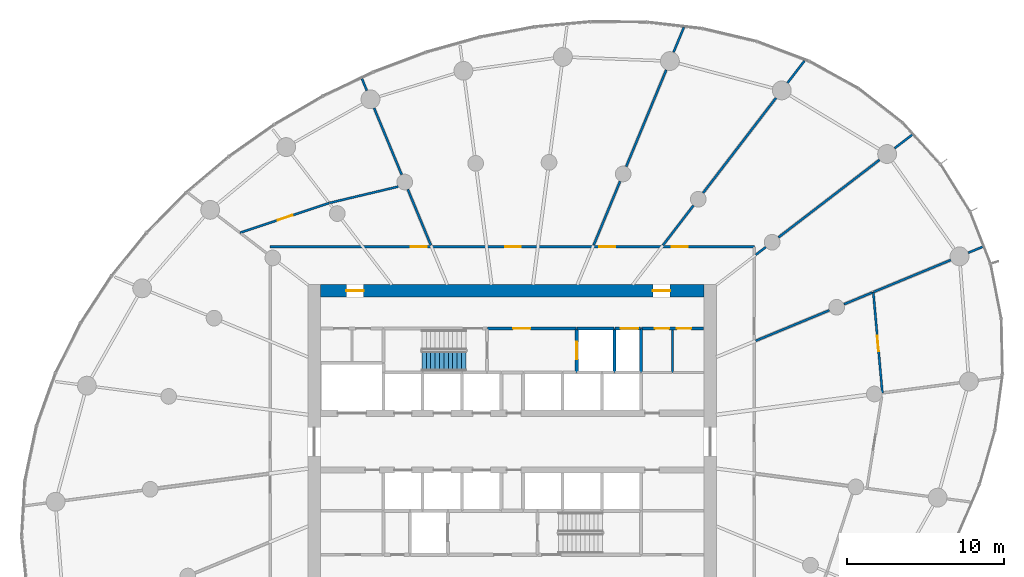
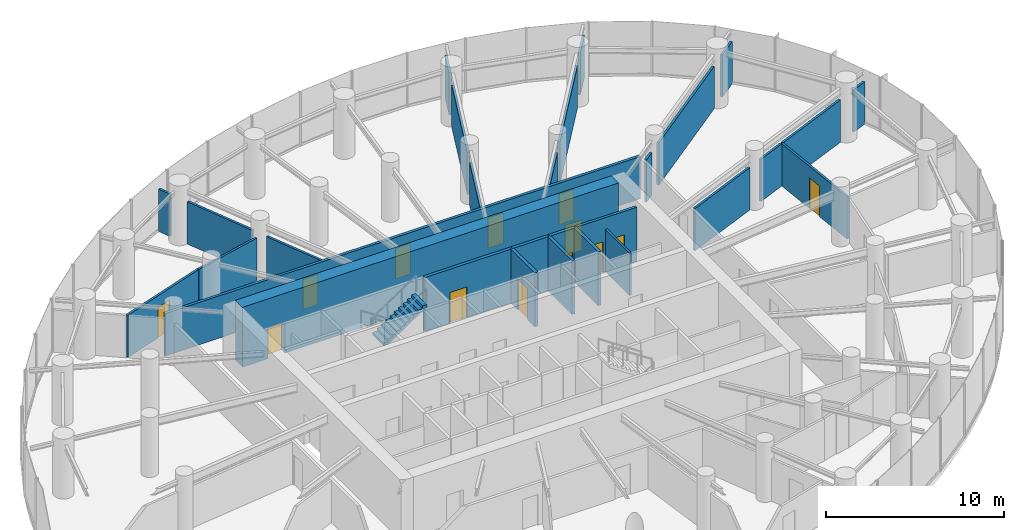
# One storey, part 13 of 17: 29 walls, 13 doors, 1 stair flight, 13 openings, 1 element without a shape of its own.
"""IFC4 building model written with IfcOpenShell, lengths in metres."""

import ifcopenshell
import ifcopenshell.guid

model = None  # the IFC model being written
_history = None  # IfcOwnerHistory: only IFC2X3 demands one
_inside = {}  # id of a spatial element -> (the spatial element, [elements in it])
_under = {}  # id of a project, library or spatial element -> (it, [spatial elements below it])
_declared = {}  # id of a project -> (the project, [libraries it declares])
_typed = {}  # id of a type object -> (the type object, [elements of that type])
_made_of = {}  # id of a material, layer set ... -> (it, [elements and type objects made of it])


def new_model(schema):
    """Start an empty IFC model of exactly this schema.

    Asked for "IFC4X3", IfcOpenShell would pick the latest addendum, in which some entities
    have other attributes; the version numbers below select the first issue.
    IFC2X3 requires an IfcOwnerHistory on every rooted entity: one is made here for all.
    """
    global model, _history
    if schema == "IFC4X3":
        model = ifcopenshell.file(schema_version=(4, 3, 0, 0))
    else:
        model = ifcopenshell.file(schema=schema)
    _inside.clear()
    _under.clear()
    _declared.clear()
    _typed.clear()
    _made_of.clear()
    _history = None
    if model.schema == "IFC2X3":
        org = make("IfcOrganization", Name="unknown")
        user = make(
            "IfcPersonAndOrganization",
            ThePerson=make("IfcPerson", FamilyName="unknown"),
            TheOrganization=org,
        )
        app = make(
            "IfcApplication",
            ApplicationDeveloper=org,
            Version="unknown",
            ApplicationFullName="unknown",
            ApplicationIdentifier="unknown",
        )
        _history = make(
            "IfcOwnerHistory",
            OwningUser=user,
            OwningApplication=app,
            ChangeAction="ADDED",
            CreationDate=0,
        )
    return model


def make(cls, **values):
    """One entity of the class cls with the attributes given. An attribute that is None is left unset."""
    return model.create_entity(
        cls, **{name: value for name, value in values.items() if value is not None}
    )


def rooted(cls, **values):
    """An entity with a GlobalId (a new one), such as an element, a storey or a relation."""
    return make(cls, GlobalId=ifcopenshell.guid.new(), OwnerHistory=_history, **values)


def si_unit(unit_type, name, prefix=None):
    """IfcSIUnit, for example si_unit("LENGTHUNIT", "METRE", prefix="MILLI")."""
    return make("IfcSIUnit", UnitType=unit_type, Prefix=prefix, Name=name)


def assignment(units):
    """IfcUnitAssignment: the units of a project."""
    return None if units is None else make("IfcUnitAssignment", Units=units)


def point(xyz):
    """IfcCartesianPoint."""
    return None if xyz is None else make("IfcCartesianPoint", Coordinates=xyz)


def direction(xyz):
    """IfcDirection."""
    return None if xyz is None else make("IfcDirection", DirectionRatios=xyz)


def frame(location, z_axis=None, x_axis=None):
    """IfcAxis2Placement3D, a coordinate frame: its origin and axes. An axis left out is left unset."""
    return make(
        "IfcAxis2Placement3D",
        Location=point(location),
        Axis=direction(z_axis),
        RefDirection=direction(x_axis),
    )


def frame_2d(location, x_axis=None):
    """IfcAxis2Placement2D, a coordinate frame in the plane: its origin and x axis."""
    return make(
        "IfcAxis2Placement2D", Location=point(location), RefDirection=direction(x_axis)
    )


def origin():
    """The frame at (0, 0, 0) with its axes left unset."""
    return frame((0.0, 0.0, 0.0))


def place(relative_to, where):
    """IfcLocalPlacement: puts the frame where relative to a parent placement (None: the world)."""
    return make(
        "IfcLocalPlacement", PlacementRelTo=relative_to, RelativePlacement=where
    )


def context(
    kind, dimensions, precision=None, world=None, true_north=None, identifier=None
):
    """IfcGeometricRepresentationContext, for example the 3D "Model" context."""
    return make(
        "IfcGeometricRepresentationContext",
        ContextIdentifier=identifier,
        ContextType=kind,
        CoordinateSpaceDimension=dimensions,
        Precision=precision,
        WorldCoordinateSystem=world,
        TrueNorth=true_north,
    )


def subcontext(parent, identifier, kind, view, scale=None):
    """IfcGeometricRepresentationSubContext, for example "Body" below "Model"."""
    return make(
        "IfcGeometricRepresentationSubContext",
        ContextIdentifier=identifier,
        ContextType=kind,
        ParentContext=parent,
        TargetScale=scale,
        TargetView=view,
    )


def project(units=None, contexts=None):
    """IfcProject with its units and contexts."""
    return rooted(
        "IfcProject",
        Name="project",
        RepresentationContexts=contexts,
        UnitsInContext=assignment(units),
    )


def spatial(cls, under=None, at=None, **own):
    """A site, building, storey or space (cls), placed at a placement, below another one or the project."""
    s = rooted(cls, ObjectPlacement=at, **own)
    if under is not None:
        _under.setdefault(under.id(), (under, []))[1].append(s)
    return s


def point_list(points):
    """IfcCartesianPointList2D or 3D."""
    cls = (
        "IfcCartesianPointList2D" if len(points[0]) == 2 else "IfcCartesianPointList3D"
    )
    return make(cls, CoordList=points)


def line(*indices):
    """IfcLineIndex: a straight run through numbered points of an indexed curve."""
    return model.create_entity("IfcLineIndex", indices)


def indexed_curve(points, segments=None, self_intersect=None):
    """IfcIndexedPolyCurve: lines and arcs through numbered points (the first is 1)."""
    return make(
        "IfcIndexedPolyCurve",
        Points=point_list(points),
        Segments=segments,
        SelfIntersect=self_intersect,
    )


def profile(cls, at=None, kind="AREA", **sizes):
    """A parametric profile (cls). Its sizes go by their IFC names, for example OverallWidth=200.0."""
    return make(cls, ProfileType=kind, Position=at, **sizes)


def rectangle(**sizes):
    """IfcRectangleProfileDef."""
    return profile("IfcRectangleProfileDef", **sizes)


def outline(outer, holes=None, kind="AREA"):
    """IfcArbitraryClosedProfileDef: a profile drawn as a closed curve; with holes, ...WithVoids."""
    if holes is None:
        return make("IfcArbitraryClosedProfileDef", ProfileType=kind, OuterCurve=outer)
    return make(
        "IfcArbitraryProfileDefWithVoids",
        ProfileType=kind,
        OuterCurve=outer,
        InnerCurves=holes,
    )


def extrude(swept, where, along, depth):
    """IfcExtrudedAreaSolid: the profile swept, set in the frame where, extruded along a direction by depth."""
    return make(
        "IfcExtrudedAreaSolid",
        SweptArea=swept,
        Position=where,
        ExtrudedDirection=direction(along),
        Depth=depth,
    )


def shape(context_of_items, identifier, shape_type, items):
    """IfcShapeRepresentation: the items that make up one representation, for example the "Body"."""
    return make(
        "IfcShapeRepresentation",
        ContextOfItems=context_of_items,
        RepresentationIdentifier=identifier,
        RepresentationType=shape_type,
        Items=items,
    )


def source(mapping_origin, context_of_items, identifier, shape_type, items):
    """IfcRepresentationMap: a shape defined once, which mapped items show again and again."""
    return make(
        "IfcRepresentationMap",
        MappingOrigin=mapping_origin,
        MappedRepresentation=shape(context_of_items, identifier, shape_type, items),
    )


def transform(
    local_origin,
    x_axis=None,
    y_axis=None,
    z_axis=None,
    scale=None,
    scale2=None,
    scale3=None,
    uniform=True,
):
    """IfcCartesianTransformationOperator3D, or its non-uniform kind. x_axis, y_axis, z_axis: its Axis1, 2, 3."""
    if uniform:
        return make(
            "IfcCartesianTransformationOperator3D",
            Axis1=direction(x_axis),
            Axis2=direction(y_axis),
            LocalOrigin=point(local_origin),
            Scale=scale,
            Axis3=direction(z_axis),
        )
    return make(
        "IfcCartesianTransformationOperator3DnonUniform",
        Axis1=direction(x_axis),
        Axis2=direction(y_axis),
        LocalOrigin=point(local_origin),
        Scale=scale,
        Axis3=direction(z_axis),
        Scale2=scale2,
        Scale3=scale3,
    )


def mapped(mapping_source, mapping_target):
    """IfcMappedItem: shows the shape of a source again, moved by a transform."""
    return make(
        "IfcMappedItem", MappingSource=mapping_source, MappingTarget=mapping_target
    )


def material(Name=None, Category=None):
    """IfcMaterial."""
    return make("IfcMaterial", Name=Name, Category=Category)


def layer(
    of_material, thickness, ventilated=None, Name=None, Category=None, Priority=None
):
    """IfcMaterialLayer: one layer of a wall or slab, of a material (None: an air gap)."""
    return make(
        "IfcMaterialLayer",
        Material=of_material,
        LayerThickness=thickness,
        IsVentilated=ventilated,
        Name=Name,
        Category=Category,
        Priority=Priority,
    )


def layer_set(layers, Name=None):
    """IfcMaterialLayerSet."""
    return make("IfcMaterialLayerSet", MaterialLayers=layers, LayerSetName=Name)


def made_of(thing, what):
    """Note that an element or type object is made of a material, layer set ...; save() writes the relation."""
    if what is not None:
        _made_of.setdefault(what.id(), (what, []))[1].append(thing)
    return thing


def type_object(cls, material=None, **own):
    """A type object (cls), such as IfcWallType, which elements share."""
    return made_of(rooted(cls, **own), material)


def element(
    cls,
    number,
    at=None,
    inside=None,
    cuts=None,
    type_object=None,
    material=None,
    context=None,
    identifier="Body",
    shape_type=None,
    held_by="IfcProductDefinitionShape",
    body=None,
    shapes=None,
    **own,
):
    """One element of the class cls, such as IfcWall. Its Tag is "e" and its number.

    at: its placement. inside: the storey or other place that contains it. cuts: it is an
    opening in that element (IfcRelVoidsElement). A single representation is given by context,
    identifier, shape_type and body (its items); several are given by shapes. held_by: the class
    of the entity that holds the representations. save() writes the other relations.
    """
    e = rooted(cls, Tag="e%d" % number, ObjectPlacement=at, **own)
    if body is not None:
        shapes = [shape(context, identifier, shape_type, body)]
    if shapes is not None:
        e.Representation = make(held_by, Representations=shapes)
    if inside is not None:
        _inside.setdefault(inside.id(), (inside, []))[1].append(e)
    if cuts is not None:
        rooted(
            "IfcRelVoidsElement", RelatingBuildingElement=cuts, RelatedOpeningElement=e
        )
    if type_object is not None:
        _typed.setdefault(type_object.id(), (type_object, []))[1].append(e)
    return made_of(e, material)


def fill(opening, filler):
    """IfcRelFillsElement: the door or window that sits in an opening."""
    return rooted(
        "IfcRelFillsElement",
        RelatingOpeningElement=opening,
        RelatedBuildingElement=filler,
    )


def aggregate(whole, parts):
    """IfcRelAggregates: a whole, such as a stair, and the parts it consists of."""
    return rooted("IfcRelAggregates", RelatingObject=whole, RelatedObjects=parts)


def save(model, path):
    """Write the relations noted so far, then the file.

    IfcRelAggregates (storeys below a building ...), IfcRelContainedInSpatialStructure (elements
    in a storey), IfcRelDefinesByType, IfcRelAssociatesMaterial and IfcRelDeclares: one each for
    every whole, place, type object, material and project.
    """
    for whole, parts in _under.values():
        aggregate(whole, parts)
    for where, things in _inside.values():
        rooted(
            "IfcRelContainedInSpatialStructure",
            RelatedElements=things,
            RelatingStructure=where,
        )
    for kind, things in _typed.values():
        rooted("IfcRelDefinesByType", RelatedObjects=things, RelatingType=kind)
    for what, things in _made_of.values():
        rooted("IfcRelAssociatesMaterial", RelatedObjects=things, RelatingMaterial=what)
    for by, libraries in _declared.values():
        rooted("IfcRelDeclares", RelatingContext=by, RelatedDefinitions=libraries)
    model.write(path)


model = new_model("IFC4")

# Units and contexts
model_context = context("Model", 3, precision=1e-05, world=origin(), true_north=direction((0.0, 1.0)))
body_context = subcontext(model_context, "Body", "Model", "MODEL_VIEW")
ifc_project = project(units=[si_unit("LENGTHUNIT", "METRE"), si_unit("AREAUNIT", "SQUARE_METRE"), si_unit("VOLUMEUNIT", "CUBIC_METRE"), si_unit("PLANEANGLEUNIT", "RADIAN"), si_unit("MASSUNIT", "GRAM", prefix="KILO")], contexts=[model_context])

# Site, building, storey
site_placement = place(None, origin())
site = spatial("IfcSite", under=ifc_project, at=site_placement, CompositionType="ELEMENT")
building_placement = place(site_placement, origin())
building = spatial("IfcBuilding", under=site, at=building_placement, Name="Spindrift Exchange Tower", CompositionType="ELEMENT")
storey_placement = place(building_placement, frame((0.0, 0.0, 100.300048828125)))
storey = spatial("IfcBuildingStorey", under=building, at=storey_placement, Name="L23", CompositionType="ELEMENT", Elevation=100.300048828125)

# Wall, openings, doors
ifc_material_1 = material(Name="Concrete 65 MPa", Category="concrete")
ifc_layer_1 = layer(ifc_material_1, 0.800048828125)
ifc_layer_set_1 = layer_set([ifc_layer_1], Name="RC Core Wall 800 Concrete 65 MPa")
wall_type_1 = type_object("IfcWallType", Name="RC Core Wall 800 Concrete 65 MPa", PredefinedType="SHEAR", material=ifc_layer_set_1)
wall_1_placement = place(storey_placement, frame((64.199951171875, 57.60009765625, 0.0), z_axis=(0.0, 0.0, 1.0), x_axis=(-1.0, 0.0, 0.0)))
wall_1 = element("IfcWall", 1, at=wall_1_placement, inside=storey, type_object=wall_type_1, Name="Core wall N L23", PredefinedType="SHEAR", context=body_context, shape_type="SweptSolid", body=[
    extrude(rectangle(XDim=24.39990234375, YDim=0.800048828125, at=frame_2d((12.199951171875, 0.0))), origin(), (0.0, 0.0, 1.0), 4.099853515625),
])
opening_1_placement = place(wall_1_placement, frame((21.64990234375, 0.0, 0.0)))
opening_1 = element("IfcOpeningElement", 2, at=opening_1_placement, cuts=wall_1, Name="Opening L23-D20", PredefinedType="OPENING", context=body_context, shape_type="SweptSolid", body=[
    extrude(rectangle(XDim=1.10009765625, YDim=2.10009765625, at=frame_2d((0.550048828125, 1.050048828125))), frame((0.0, 0.409912109375, 0.0), z_axis=(0.0, -1.0, 0.0), x_axis=(1.0, 0.0, 0.0)), (0.0, 0.0, 1.0), 0.820068359375),
])
opening_2_placement = place(wall_1_placement, frame((2.14990234375, 0.0, 0.0)))
opening_2 = element("IfcOpeningElement", 3, at=opening_2_placement, cuts=wall_1, Name="Opening L23-D21", PredefinedType="OPENING", context=body_context, shape_type="SweptSolid", body=[
    extrude(rectangle(XDim=1.10009765625, YDim=2.10009765625, at=frame_2d((0.550048828125, 1.050048828125))), frame((0.0, 0.409912109375, 0.0), z_axis=(0.0, -1.0, 0.0), x_axis=(1.0, 0.0, 0.0)), (0.0, 0.0, 1.0), 0.820068359375),
])
ifc_material_2 = material(Name="Steel fire door", Category="steel")
door_type_1 = type_object("IfcDoorType", Name="DR-STAIR-1100", OperationType="NOTDEFINED", PredefinedType="DOOR", material=ifc_material_2)
shared_shape_1 = source(origin(), body_context, "Body", "SweptSolid", [
    extrude(rectangle(XDim=1.10009765625, YDim=2.10009765625, at=frame_2d((0.550048828125, 1.050048828125))), frame((0.0, 0.02490234375, 0.0), z_axis=(0.0, -1.0, 0.0), x_axis=(1.0, 0.0, 0.0)), (0.0, 0.0, 1.0), 0.050048828125),
])
door_1_placement = place(opening_1_placement, origin())
door_1 = element("IfcDoor", 4, at=door_1_placement, inside=storey, type_object=door_type_1, Name="L23 Stair door 20", OperationType="SINGLE_SWING_RIGHT", OverallHeight=2.10009765625, OverallWidth=1.10009765625, PredefinedType="DOOR", context=body_context, shape_type="MappedRepresentation", body=[
    mapped(shared_shape_1, transform((0.0, 0.0, 0.0), scale=1.0)),
])
fill(opening_1, door_1)
door_2_placement = place(opening_2_placement, origin())
door_2 = element("IfcDoor", 5, at=door_2_placement, inside=storey, type_object=door_type_1, Name="L23 Stair door 21", OperationType="SINGLE_SWING_LEFT", OverallHeight=2.10009765625, OverallWidth=1.10009765625, PredefinedType="DOOR", context=body_context, shape_type="MappedRepresentation", body=[
    mapped(shared_shape_1, transform((0.0, 0.0, 0.0), scale=1.0)),
])
fill(opening_2, door_2)

ifc_material_3 = material(Name="Fire-rated plasterboard partition", Category="gypsum")
ifc_layer_2 = layer(ifc_material_3, 0.179931640625)
ifc_layer_set_2 = layer_set([ifc_layer_2], Name="W-CORR-180")
wall_type_2 = type_object("IfcWallType", Name="W-CORR-180", PredefinedType="PARTITIONING", material=ifc_layer_set_2)
wall_2_placement = place(storey_placement, frame((64.179931640625, 55.199951171875, 0.0), z_axis=(0.0, 0.0, 1.0), x_axis=(-1.0, 0.0, 0.0)))
wall_2 = element("IfcWall", 6, at=wall_2_placement, inside=storey, type_object=wall_type_2, Name="L23 Partition wall 62", PredefinedType="PARTITIONING", context=body_context, shape_type="SweptSolid", body=[
    extrude(rectangle(XDim=3.949951171875, YDim=0.179931640625, at=frame_2d((1.97509765625, 0.0))), origin(), (0.0, 0.0, 1.0), 3.699951171875),
])
opening_3_placement = place(wall_2_placement, frame((2.199951171875, 0.0, 0.0)))
opening_3 = element("IfcOpeningElement", 7, at=opening_3_placement, cuts=wall_2, Name="Opening L23-D51", PredefinedType="OPENING", context=body_context, shape_type="SweptSolid", body=[
    extrude(rectangle(XDim=0.89990234375, YDim=2.10009765625, at=frame_2d((0.449951171875, 1.050048828125))), frame((0.0, 0.099853515625, 0.0), z_axis=(0.0, -1.0, 0.0), x_axis=(1.0, 0.0, 0.0)), (0.0, 0.0, 1.0), 0.199951171875),
])
opening_4_placement = place(wall_2_placement, frame((0.800048828125, 0.0, 0.0)))
opening_4 = element("IfcOpeningElement", 8, at=opening_4_placement, cuts=wall_2, Name="Opening L23-D52", PredefinedType="OPENING", context=body_context, shape_type="SweptSolid", body=[
    extrude(rectangle(XDim=0.89990234375, YDim=2.10009765625, at=frame_2d((0.449951171875, 1.050048828125))), frame((0.0, 0.099853515625, 0.0), z_axis=(0.0, -1.0, 0.0), x_axis=(1.0, 0.0, 0.0)), (0.0, 0.0, 1.0), 0.199951171875),
])
ifc_material_4 = material(Name="Steel access door", Category="steel")
door_type_2 = type_object("IfcDoorType", Name="DR-RISER-900", OperationType="NOTDEFINED", PredefinedType="DOOR", material=ifc_material_4)
shared_shape_2 = source(origin(), body_context, "Body", "SweptSolid", [
    extrude(rectangle(XDim=0.89990234375, YDim=2.10009765625, at=frame_2d((0.449951171875, 1.050048828125))), frame((0.0, 0.02490234375, 0.0), z_axis=(0.0, -1.0, 0.0), x_axis=(1.0, 0.0, 0.0)), (0.0, 0.0, 1.0), 0.050048828125),
])
door_3_placement = place(opening_3_placement, origin())
door_3 = element("IfcDoor", 9, at=door_3_placement, inside=storey, type_object=door_type_2, Name="L23 Riser door 51", OperationType="SINGLE_SWING_LEFT", OverallHeight=2.10009765625, OverallWidth=0.89990234375, PredefinedType="DOOR", context=body_context, shape_type="MappedRepresentation", body=[
    mapped(shared_shape_2, transform((0.0, 0.0, 0.0), scale=1.0)),
])
fill(opening_3, door_3)
door_4_placement = place(opening_4_placement, origin())
door_4 = element("IfcDoor", 10, at=door_4_placement, inside=storey, type_object=door_type_2, Name="L23 Riser door 52", OperationType="SINGLE_SWING_RIGHT", OverallHeight=2.10009765625, OverallWidth=0.89990234375, PredefinedType="DOOR", context=body_context, shape_type="MappedRepresentation", body=[
    mapped(shared_shape_2, transform((0.0, 0.0, 0.0), scale=1.0)),
])
fill(opening_4, door_4)

# Wall, opening, door
ifc_layer_3 = layer(ifc_material_3, 0.139892578125)
ifc_layer_set_3 = layer_set([ifc_layer_3], Name="W-PART-140")
wall_type_3 = type_object("IfcWallType", Name="W-PART-140", PredefinedType="PARTITIONING", material=ifc_layer_set_3)
wall_3_placement = place(storey_placement, frame((34.6748046875, 61.294189453125, 0.0), z_axis=(0.0, 0.0, 1.0), x_axis=(0.948817917671, 0.315823620247, 0.0)))
wall_3 = element("IfcWall", 11, at=wall_3_placement, inside=storey, type_object=wall_type_3, Name="L23 Partition wall 75", PredefinedType="PARTITIONING", context=body_context, shape_type="SweptSolid", body=[
    extrude(rectangle(XDim=5.98095703125, YDim=0.139892578125, at=frame_2d((2.990478515625, 0.0))), origin(), (0.0, 0.0, 1.0), 2.89990234375),
])
opening_5_placement = place(wall_3_placement, frame((2.531005859375, 0.0, 0.0)))
opening_5 = element("IfcOpeningElement", 12, at=opening_5_placement, cuts=wall_3, Name="Opening L23-D38", PredefinedType="OPENING", context=body_context, shape_type="SweptSolid", body=[
    extrude(rectangle(XDim=1.0, YDim=2.10009765625, at=frame_2d((0.5, 1.050048828125))), frame((0.0, 0.079833984375, 0.0), z_axis=(0.0, -1.0, 0.0), x_axis=(1.0, 0.0, 0.0)), (0.0, 0.0, 1.0), 0.159912109375),
])
ifc_material_5 = material(Name="Timber-core fire door", Category="wood")
door_type_3 = type_object("IfcDoorType", Name="DR-ROOM-1000", OperationType="NOTDEFINED", PredefinedType="DOOR", material=ifc_material_5)
shared_shape_3 = source(origin(), body_context, "Body", "SweptSolid", [
    extrude(rectangle(XDim=1.0, YDim=2.10009765625, at=frame_2d((0.5, 1.050048828125))), frame((0.0, 0.02490234375, 0.0), z_axis=(0.0, -1.0, 0.0), x_axis=(1.0, 0.0, 0.0)), (0.0, 0.0, 1.0), 0.050048828125),
])
door_5_placement = place(opening_5_placement, origin())
door_5 = element("IfcDoor", 13, at=door_5_placement, inside=storey, type_object=door_type_3, Name="L23 Door 38", OperationType="SINGLE_SWING_RIGHT", OverallHeight=2.10009765625, OverallWidth=1.0, PredefinedType="DOOR", context=body_context, shape_type="MappedRepresentation", body=[
    mapped(shared_shape_3, transform((0.0, 0.0, 0.0), scale=1.0)),
])
fill(opening_5, door_5)

# Walls
wall_4_placement = place(storey_placement, frame((44.746826171875, 64.2255859375, 0.0), z_axis=(0.0, 0.0, 1.0), x_axis=(-0.973038547424, -0.230642548604, 0.0)))
element("IfcWall", 14, at=wall_4_placement, inside=storey, type_object=wall_type_3, Name="L23 Partition wall 90", PredefinedType="PARTITIONING", context=body_context, shape_type="SweptSolid", body=[
    extrude(rectangle(XDim=4.4892578125, YDim=0.139892578125, at=frame_2d((2.24462890625, 0.0))), origin(), (0.0, 0.0, 1.0), 2.89990234375),
])
wall_5_placement = place(storey_placement, frame((62.199951171875, 52.39990234375, 0.0), z_axis=(0.0, 0.0, 1.0), x_axis=(0.0, 1.0, 0.0)))
element("IfcWall", 15, at=wall_5_placement, inside=storey, type_object=wall_type_3, Name="L23 Partition wall 101", PredefinedType="PARTITIONING", context=body_context, shape_type="SweptSolid", body=[
    extrude(rectangle(XDim=2.710205078125, YDim=0.139892578125, at=frame_2d((1.35498046875, 0.0))), origin(), (0.0, 0.0, 1.0), 2.89990234375),
])
ifc_layer_4 = layer(ifc_material_3, 0.139892578125)
ifc_layer_set_4 = layer_set([ifc_layer_4], Name="W-PLANT-140")
wall_type_4 = type_object("IfcWallType", Name="W-PLANT-140", PredefinedType="PARTITIONING", material=ifc_layer_set_4)
wall_6_placement = place(storey_placement, frame((68.93505859375, 60.99462890625, 0.0), z_axis=(0.0, 0.0, 1.0), x_axis=(0.793358692504, 0.608754453805, 0.0)))
element("IfcWall", 16, at=wall_6_placement, inside=storey, type_object=wall_type_4, Name="L23 Partition wall 65", PredefinedType="PARTITIONING", context=body_context, shape_type="SweptSolid", body=[
    extrude(rectangle(XDim=8.109619140625, YDim=0.139892578125, at=frame_2d((4.0546875, 0.0))), origin(), (0.0, 0.0, 1.0), 2.89990234375),
])
wall_7_placement = place(storey_placement, frame((64.14208984375, 63.823974609375, 0.0), z_axis=(0.0, 0.0, 1.0), x_axis=(0.608755907151, 0.793357577331, 0.0)))
element("IfcWall", 17, at=wall_7_placement, inside=storey, type_object=wall_type_4, Name="L23 Partition wall 66", PredefinedType="PARTITIONING", context=body_context, shape_type="SweptSolid", body=[
    extrude(rectangle(XDim=7.614990234375, YDim=0.139892578125, at=frame_2d((3.8076171875, 0.0))), origin(), (0.0, 0.0, 1.0), 2.89990234375),
])
wall_8_placement = place(storey_placement, frame((59.247802734375, 65.497802734375, 0.0), z_axis=(0.0, 0.0, 1.0), x_axis=(0.382696989205, 0.923873916968, 0.0)))
element("IfcWall", 18, at=wall_8_placement, inside=storey, type_object=wall_type_4, Name="L23 Partition wall 69", PredefinedType="PARTITIONING", context=body_context, shape_type="SweptSolid", body=[
    extrude(rectangle(XDim=6.662841796875, YDim=0.139892578125, at=frame_2d((3.33154296875, 0.0))), origin(), (0.0, 0.0, 1.0), 2.89990234375),
])

# Wall, opening, door
wall_9_placement = place(storey_placement, frame((74.97021484375, 57.5146484375, 0.0), z_axis=(0.0, 0.0, 1.0), x_axis=(0.089462467016, -0.995990194227, 0.0)))
wall_9 = element("IfcWall", 19, at=wall_9_placement, inside=storey, type_object=wall_type_4, Name="L23 Partition wall 71", PredefinedType="PARTITIONING", context=body_context, shape_type="SweptSolid", body=[
    extrude(rectangle(XDim=6.4404296875, YDim=0.139892578125, at=frame_2d((3.22021484375, 0.0))), origin(), (0.0, 0.0, 1.0), 2.89990234375),
])
opening_6_placement = place(wall_9_placement, frame((2.79052734375, 0.0, 0.0)))
opening_6 = element("IfcOpeningElement", 20, at=opening_6_placement, cuts=wall_9, Name="Opening L23-D32", PredefinedType="OPENING", context=body_context, shape_type="SweptSolid", body=[
    extrude(rectangle(XDim=1.0, YDim=2.10009765625, at=frame_2d((0.5, 1.050048828125))), frame((0.0, 0.079833984375, 0.0), z_axis=(0.0, -1.0, 0.0), x_axis=(1.0, 0.0, 0.0)), (0.0, 0.0, 1.0), 0.159912109375),
])
door_6_placement = place(opening_6_placement, origin())
door_6 = element("IfcDoor", 21, at=door_6_placement, inside=storey, type_object=door_type_3, Name="L23 Door 32", OperationType="SINGLE_SWING_RIGHT", OverallHeight=2.10009765625, OverallWidth=1.0, PredefinedType="DOOR", context=body_context, shape_type="MappedRepresentation", body=[
    mapped(shared_shape_3, transform((0.0, 0.0, 0.0), scale=1.0)),
])
fill(opening_6, door_6)

# Walls
wall_10_placement = place(storey_placement, frame((74.998046875, 57.526123046875, 0.0), z_axis=(0.0, 0.0, 1.0), x_axis=(0.923875965801, 0.382692043051, 0.0)))
element("IfcWall", 22, at=wall_10_placement, inside=storey, type_object=wall_type_4, Name="L23 Partition wall 81", PredefinedType="PARTITIONING", context=body_context, shape_type="SweptSolid", body=[
    extrude(rectangle(XDim=5.302001953125, YDim=0.139892578125, at=frame_2d((2.65087890625, 0.0))), origin(), (0.0, 0.0, 1.0), 2.89990234375),
])
wall_11_placement = place(storey_placement, frame((67.489990234375, 54.416259765625, 0.0), z_axis=(0.0, 0.0, 1.0), x_axis=(0.923890025086, 0.382658100067, 0.0)))
element("IfcWall", 23, at=wall_11_placement, inside=storey, type_object=wall_type_4, Name="L23 Partition wall 84", PredefinedType="PARTITIONING", context=body_context, shape_type="SweptSolid", body=[
    extrude(rectangle(XDim=5.068359375, YDim=0.139892578125, at=frame_2d((2.5341796875, 0.0))), origin(), (0.0, 0.0, 1.0), 2.89990234375),
])
wall_12_placement = place(storey_placement, frame((44.965087890625, 64.984130859375, 0.0), z_axis=(0.0, 0.0, 1.0), x_axis=(-0.382705930348, 0.923870213221, 0.0)))
element("IfcWall", 24, at=wall_12_placement, inside=storey, type_object=wall_type_4, Name="L23 Partition wall 89", PredefinedType="PARTITIONING", context=body_context, shape_type="SweptSolid", body=[
    extrude(rectangle(XDim=4.586669921875, YDim=0.139892578125, at=frame_2d((2.29345703125, 0.0))), origin(), (0.0, 0.0, 1.0), 2.89990234375),
])
wall_13_placement = place(storey_placement, frame((57.173583984375, 60.489990234375, 0.0), z_axis=(0.0, 0.0, 1.0), x_axis=(0.382672831764, 0.923883923353, 0.0)))
element("IfcWall", 25, at=wall_13_placement, inside=storey, type_object=wall_type_4, Name="L23 Partition wall 92", PredefinedType="PARTITIONING", context=body_context, shape_type="SweptSolid", body=[
    extrude(rectangle(XDim=4.410400390625, YDim=0.139892578125, at=frame_2d((2.205078125, 0.0))), origin(), (0.0, 0.0, 1.0), 2.89990234375),
])
wall_14_placement = place(storey_placement, frame((46.826416015625, 60.489990234375, 0.0), z_axis=(0.0, 0.0, 1.0), x_axis=(-0.382644558062, 0.923895633817, 0.0)))
element("IfcWall", 26, at=wall_14_placement, inside=storey, type_object=wall_type_4, Name="L23 Partition wall 96", PredefinedType="PARTITIONING", context=body_context, shape_type="SweptSolid", body=[
    extrude(rectangle(XDim=3.854248046875, YDim=0.139892578125, at=frame_2d((1.92724609375, 0.0))), origin(), (0.0, 0.0, 1.0), 2.89990234375),
])
wall_15_placement = place(storey_placement, frame((61.583984375, 60.489990234375, 0.0), z_axis=(0.0, 0.0, 1.0), x_axis=(0.60874605662, 0.793365135703, 0.0)))
element("IfcWall", 27, at=wall_15_placement, inside=storey, type_object=wall_type_4, Name="L23 Partition wall 100", PredefinedType="PARTITIONING", context=body_context, shape_type="SweptSolid", body=[
    extrude(rectangle(XDim=3.193603515625, YDim=0.139892578125, at=frame_2d((1.5966796875, 0.0))), origin(), (0.0, 0.0, 1.0), 2.89990234375),
])
wall_16_placement = place(storey_placement, frame((73.10595703125, 56.7421875, 0.0), z_axis=(0.0, 0.0, 1.0), x_axis=(0.923843914347, 0.382769410904, 0.0)))
element("IfcWall", 28, at=wall_16_placement, inside=storey, type_object=wall_type_4, Name="L23 Partition wall 104", PredefinedType="PARTITIONING", context=body_context, shape_type="SweptSolid", body=[
    extrude(rectangle(XDim=1.94482421875, YDim=0.139892578125, at=frame_2d((0.972412109375, 0.0))), origin(), (0.0, 0.0, 1.0), 2.89990234375),
])
wall_17_placement = place(storey_placement, frame((69.513671875, 70.82421875, 0.0), z_axis=(0.0, 0.0, 1.0), x_axis=(0.608816765526, 0.793310876022, 0.0)))
element("IfcWall", 29, at=wall_17_placement, inside=storey, type_object=wall_type_4, Name="L23 Partition wall 109", PredefinedType="PARTITIONING", context=body_context, shape_type="SweptSolid", body=[
    extrude(rectangle(XDim=1.769287109375, YDim=0.139892578125, at=frame_2d((0.884765625, 0.0))), origin(), (0.0, 0.0, 1.0), 2.89990234375),
])
wall_18_placement = place(storey_placement, frame((62.260498046875, 72.77099609375, 0.0), z_axis=(0.0, 0.0, 1.0), x_axis=(0.382769756697, 0.923843771077, 0.0)))
element("IfcWall", 30, at=wall_18_placement, inside=storey, type_object=wall_type_4, Name="L23 Partition wall 111", PredefinedType="PARTITIONING", context=body_context, shape_type="SweptSolid", body=[
    extrude(rectangle(XDim=1.719482421875, YDim=0.139892578125, at=frame_2d((0.85986328125, 0.0))), origin(), (0.0, 0.0, 1.0), 2.89990234375),
])
wall_19_placement = place(storey_placement, frame((76.32763671875, 66.667236328125, 0.0), z_axis=(0.0, 0.0, 1.0), x_axis=(0.793384012646, 0.608721453932, 0.0)))
element("IfcWall", 31, at=wall_19_placement, inside=storey, type_object=wall_type_4, Name="L23 Partition wall 113", PredefinedType="PARTITIONING", context=body_context, shape_type="SweptSolid", body=[
    extrude(rectangle(XDim=1.431884765625, YDim=0.139892578125, at=frame_2d((0.7158203125, 0.0))), origin(), (0.0, 0.0, 1.0), 2.89990234375),
])
wall_20_placement = place(storey_placement, frame((81.014404296875, 60.018310546875, 0.0), z_axis=(0.0, 0.0, 1.0), x_axis=(0.923909071339, 0.38261211154, 0.0)))
element("IfcWall", 32, at=wall_20_placement, inside=storey, type_object=wall_type_4, Name="L23 Partition wall 121", PredefinedType="PARTITIONING", context=body_context, shape_type="SweptSolid", body=[
    extrude(rectangle(XDim=1.021484375, YDim=0.139892578125, at=frame_2d((0.5107421875, 0.0))), origin(), (0.0, 0.0, 1.0), 2.89990234375),
])
wall_21_placement = place(storey_placement, frame((67.489990234375, 59.885986328125, 0.0), z_axis=(0.0, 0.0, 1.0), x_axis=(0.793316076519, 0.608809989025, 0.0)))
element("IfcWall", 33, at=wall_21_placement, inside=storey, type_object=wall_type_4, Name="L23 Partition wall 124", PredefinedType="PARTITIONING", context=body_context, shape_type="SweptSolid", body=[
    extrude(rectangle(XDim=0.8125, YDim=0.139892578125, at=frame_2d((0.40625, 0.0))), origin(), (0.0, 0.0, 1.0), 2.89990234375),
])
wall_22_placement = place(storey_placement, frame((42.74658203125, 70.339599609375, 0.0), z_axis=(0.0, 0.0, 1.0), x_axis=(-0.382520140646, 0.923947153251, 0.0)))
element("IfcWall", 34, at=wall_22_placement, inside=storey, type_object=wall_type_4, Name="L23 Partition wall 125", PredefinedType="PARTITIONING", context=body_context, shape_type="SweptSolid", body=[
    extrude(rectangle(XDim=0.811279296875, YDim=0.139892578125, at=frame_2d((0.40576171875, 0.0))), origin(), (0.0, 0.0, 1.0), 2.89990234375),
])

# Wall, openings, doors
ifc_layer_5 = layer(ifc_material_3, 0.179931640625)
ifc_layer_set_5 = layer_set([ifc_layer_5], Name="W-PLANT-180")
wall_type_5 = type_object("IfcWallType", Name="W-PLANT-180", PredefinedType="PARTITIONING", material=ifc_layer_set_5)
wall_23_placement = place(storey_placement, frame((36.60009765625, 60.39990234375, 0.0), z_axis=(0.0, 0.0, 1.0), x_axis=(1.0, 0.0, 0.0)))
wall_23 = element("IfcWall", 35, at=wall_23_placement, inside=storey, type_object=wall_type_5, Name="L23 Partition wall 58", PredefinedType="PARTITIONING", context=body_context, shape_type="SweptSolid", body=[
    extrude(rectangle(XDim=30.7998046875, YDim=0.179931640625, at=frame_2d((15.39990234375, 0.0))), origin(), (0.0, 0.0, 1.0), 2.89990234375),
])
opening_7_placement = place(wall_23_placement, frame((25.550048828125, 0.0, 0.0)))
opening_7 = element("IfcOpeningElement", 36, at=opening_7_placement, cuts=wall_23, Name="Opening L23-D34", PredefinedType="OPENING", context=body_context, shape_type="SweptSolid", body=[
    extrude(rectangle(XDim=1.0, YDim=2.10009765625, at=frame_2d((0.5, 1.050048828125))), frame((0.0, 0.099853515625, 0.0), z_axis=(0.0, -1.0, 0.0), x_axis=(1.0, 0.0, 0.0)), (0.0, 0.0, 1.0), 0.199951171875),
])
opening_8_placement = place(wall_23_placement, frame((20.949951171875, 0.0, 0.0)))
opening_8 = element("IfcOpeningElement", 37, at=opening_8_placement, cuts=wall_23, Name="Opening L23-D35", PredefinedType="OPENING", context=body_context, shape_type="SweptSolid", body=[
    extrude(rectangle(XDim=1.0, YDim=2.10009765625, at=frame_2d((0.5, 1.050048828125))), frame((0.0, 0.099853515625, 0.0), z_axis=(0.0, -1.0, 0.0), x_axis=(1.0, 0.0, 0.0)), (0.0, 0.0, 1.0), 0.199951171875),
])
opening_9_placement = place(wall_23_placement, frame((14.949951171875, 0.0, 0.0)))
opening_9 = element("IfcOpeningElement", 38, at=opening_9_placement, cuts=wall_23, Name="Opening L23-D36", PredefinedType="OPENING", context=body_context, shape_type="SweptSolid", body=[
    extrude(rectangle(XDim=1.0, YDim=2.10009765625, at=frame_2d((0.5, 1.050048828125))), frame((0.0, 0.099853515625, 0.0), z_axis=(0.0, -1.0, 0.0), x_axis=(1.0, 0.0, 0.0)), (0.0, 0.0, 1.0), 0.199951171875),
])
opening_10_placement = place(wall_23_placement, frame((8.949951171875, 0.0, 0.0)))
opening_10 = element("IfcOpeningElement", 39, at=opening_10_placement, cuts=wall_23, Name="Opening L23-D37", PredefinedType="OPENING", context=body_context, shape_type="SweptSolid", body=[
    extrude(rectangle(XDim=1.0, YDim=2.10009765625, at=frame_2d((0.5, 1.050048828125))), frame((0.0, 0.099853515625, 0.0), z_axis=(0.0, -1.0, 0.0), x_axis=(1.0, 0.0, 0.0)), (0.0, 0.0, 1.0), 0.199951171875),
])
door_7_placement = place(opening_7_placement, origin())
door_7 = element("IfcDoor", 40, at=door_7_placement, inside=storey, type_object=door_type_3, Name="L23 Door 34", OperationType="SINGLE_SWING_RIGHT", OverallHeight=2.10009765625, OverallWidth=1.0, PredefinedType="DOOR", context=body_context, shape_type="MappedRepresentation", body=[
    mapped(shared_shape_3, transform((0.0, 0.0, 0.0), scale=1.0)),
])
fill(opening_7, door_7)
door_8_placement = place(opening_8_placement, origin())
door_8 = element("IfcDoor", 41, at=door_8_placement, inside=storey, type_object=door_type_3, Name="L23 Door 35", OperationType="SINGLE_SWING_LEFT", OverallHeight=2.10009765625, OverallWidth=1.0, PredefinedType="DOOR", context=body_context, shape_type="MappedRepresentation", body=[
    mapped(shared_shape_3, transform((0.0, 0.0, 0.0), scale=1.0)),
])
fill(opening_8, door_8)
door_9_placement = place(opening_9_placement, origin())
door_9 = element("IfcDoor", 42, at=door_9_placement, inside=storey, type_object=door_type_3, Name="L23 Door 36", OperationType="SINGLE_SWING_RIGHT", OverallHeight=2.10009765625, OverallWidth=1.0, PredefinedType="DOOR", context=body_context, shape_type="MappedRepresentation", body=[
    mapped(shared_shape_3, transform((0.0, 0.0, 0.0), scale=1.0)),
])
fill(opening_9, door_9)
door_10_placement = place(opening_10_placement, origin())
door_10 = element("IfcDoor", 43, at=door_10_placement, inside=storey, type_object=door_type_3, Name="L23 Door 37", OperationType="SINGLE_SWING_LEFT", OverallHeight=2.10009765625, OverallWidth=1.0, PredefinedType="DOOR", context=body_context, shape_type="MappedRepresentation", body=[
    mapped(shared_shape_3, transform((0.0, 0.0, 0.0), scale=1.0)),
])
fill(opening_10, door_10)

# Wall, opening, door
ifc_material_6 = material(Name="Concrete 40 MPa", Category="concrete")
ifc_layer_6 = layer(ifc_material_6, 0.199951171875)
ifc_layer_set_6 = layer_set([ifc_layer_6], Name="W-SHAFT-200")
wall_type_6 = type_object("IfcWallType", Name="W-SHAFT-200", PredefinedType="SOLIDWALL", material=ifc_layer_set_6)
wall_24_placement = place(storey_placement, frame((56.10009765625, 55.169921875, 0.0), z_axis=(0.0, 0.0, 1.0), x_axis=(0.0, -1.0, 0.0)))
wall_24 = element("IfcWall", 44, at=wall_24_placement, inside=storey, type_object=wall_type_6, Name="L23 Shaft wall 12", PredefinedType="SOLIDWALL", context=body_context, shape_type="SweptSolid", body=[
    extrude(rectangle(XDim=2.77001953125, YDim=0.199951171875, at=frame_2d((1.385009765625, 0.0))), origin(), (0.0, 0.0, 1.0), 3.699951171875),
])
opening_11_placement = place(wall_24_placement, frame((0.820068359375, 0.0, 0.0)))
opening_11 = element("IfcOpeningElement", 45, at=opening_11_placement, cuts=wall_24, Name="Opening L23-D9", PredefinedType="OPENING", context=body_context, shape_type="SweptSolid", body=[
    extrude(rectangle(XDim=1.10009765625, YDim=2.10009765625, at=frame_2d((0.550048828125, 1.050048828125))), frame((0.0, 0.10986328125, 0.0), z_axis=(0.0, -1.0, 0.0), x_axis=(1.0, 0.0, 0.0)), (0.0, 0.0, 1.0), 0.219970703125),
])
ifc_material_7 = material(Name="Stainless steel landing door", Category="steel")
door_type_4 = type_object("IfcDoorType", Name="DR-LANDING-1100-SL", OperationType="DOUBLE_DOOR_SLIDING", PredefinedType="USERDEFINED", material=ifc_material_7)
shared_shape_4 = source(origin(), body_context, "Body", "SweptSolid", [
    extrude(rectangle(XDim=1.10009765625, YDim=2.10009765625, at=frame_2d((0.550048828125, 1.050048828125))), frame((0.0, 0.02490234375, 0.0), z_axis=(0.0, -1.0, 0.0), x_axis=(1.0, 0.0, 0.0)), (0.0, 0.0, 1.0), 0.050048828125),
])
door_11_placement = place(opening_11_placement, origin())
door_11 = element("IfcDoor", 46, at=door_11_placement, inside=storey, type_object=door_type_4, Name="L23 Lift landing door 9", ObjectType="LANDING DOOR", OperationType="DOUBLE_DOOR_SLIDING", OverallHeight=2.10009765625, OverallWidth=1.10009765625, PredefinedType="USERDEFINED", context=body_context, shape_type="MappedRepresentation", body=[
    mapped(shared_shape_4, transform((0.0, 0.0, 0.0), scale=1.0)),
])
fill(opening_11, door_11)

# Walls
for number, where, z_axis, x_axis, name in (
    (47, (58.5, 52.39990234375, 0.0), (0.0, 0.0, 1.0), (0.0, 1.0, 0.0), "L23 Shaft wall 13"),
    (48, (60.199951171875, 52.39990234375, 0.0), (0.0, 0.0, 1.0), (0.0, 1.0, 0.0), "L23 Shaft wall 14"),
):
    element("IfcWall", number, at=place(storey_placement, frame(where, z_axis=z_axis, x_axis=x_axis)), inside=storey, type_object=wall_type_6, Name=name, PredefinedType="SOLIDWALL", context=body_context, shape_type="SweptSolid", body=[
        extrude(rectangle(XDim=2.800048828125, YDim=0.199951171875, at=frame_2d((1.39990234375, 0.0))), origin(), (0.0, 0.0, 1.0), 3.699951171875),
    ])
wall_25_placement = place(storey_placement, frame((58.469970703125, 55.199951171875, 0.0), z_axis=(0.0, 0.0, 1.0), x_axis=(-1.0, 0.0, 0.0)))
element("IfcWall", 49, at=wall_25_placement, inside=storey, type_object=wall_type_6, Name="L23 Shaft wall 22", PredefinedType="SOLIDWALL", context=body_context, shape_type="SweptSolid", body=[
    extrude(rectangle(XDim=2.340087890625, YDim=0.199951171875, at=frame_2d((1.169921875, 0.0))), origin(), (0.0, 0.0, 1.0), 3.699951171875),
])

# Wall, opening, door
wall_26_placement = place(storey_placement, frame((60.169921875, 55.199951171875, 0.0), z_axis=(0.0, 0.0, 1.0), x_axis=(-1.0, 0.0, 0.0)))
wall_26 = element("IfcWall", 50, at=wall_26_placement, inside=storey, type_object=wall_type_6, Name="L23 Shaft wall 43", PredefinedType="SOLIDWALL", context=body_context, shape_type="SweptSolid", body=[
    extrude(rectangle(XDim=1.639892578125, YDim=0.199951171875, at=frame_2d((0.81982421875, 0.0))), origin(), (0.0, 0.0, 1.0), 3.699951171875),
])
opening_12_placement = place(wall_26_placement, frame((0.169921875, 0.0, 0.0)))
opening_12 = element("IfcOpeningElement", 51, at=opening_12_placement, cuts=wall_26, Name="Opening L23-D11", PredefinedType="OPENING", context=body_context, shape_type="SweptSolid", body=[
    extrude(rectangle(XDim=1.10009765625, YDim=2.10009765625, at=frame_2d((0.550048828125, 1.050048828125))), frame((0.0, 0.10986328125, 0.0), z_axis=(0.0, -1.0, 0.0), x_axis=(1.0, 0.0, 0.0)), (0.0, 0.0, 1.0), 0.219970703125),
])
door_12_placement = place(opening_12_placement, origin())
door_12 = element("IfcDoor", 52, at=door_12_placement, inside=storey, type_object=door_type_4, Name="L23 Lift landing door 11", ObjectType="LANDING DOOR", OperationType="DOUBLE_DOOR_SLIDING", OverallHeight=2.10009765625, OverallWidth=1.10009765625, PredefinedType="USERDEFINED", context=body_context, shape_type="MappedRepresentation", body=[
    mapped(shared_shape_4, transform((0.0, 0.0, 0.0), scale=1.0)),
])
fill(opening_12, door_12)

ifc_layer_7 = layer(ifc_material_6, 0.199951171875)
ifc_layer_set_7 = layer_set([ifc_layer_7], Name="W-SHAFT-200-LB")
wall_type_7 = type_object("IfcWallType", Name="W-SHAFT-200-LB", PredefinedType="SOLIDWALL", material=ifc_layer_set_7)
wall_27_placement = place(storey_placement, frame((56.10009765625, 55.199951171875, 0.0), z_axis=(0.0, 0.0, 1.0), x_axis=(-1.0, 0.0, 0.0)))
wall_27 = element("IfcWall", 53, at=wall_27_placement, inside=storey, type_object=wall_type_7, Name="L23 Shaft wall 4", PredefinedType="SOLIDWALL", context=body_context, shape_type="SweptSolid", body=[
    extrude(rectangle(XDim=5.670166015625, YDim=0.199951171875, at=frame_2d((2.8349609375, 0.0))), origin(), (0.0, 0.0, 1.0), 3.699951171875),
])
opening_13_placement = place(wall_27_placement, frame((2.949951171875, 0.0, 0.0)))
opening_13 = element("IfcOpeningElement", 54, at=opening_13_placement, cuts=wall_27, Name="Opening L23-D15", PredefinedType="OPENING", context=body_context, shape_type="SweptSolid", body=[
    extrude(rectangle(XDim=1.10009765625, YDim=2.10009765625, at=frame_2d((0.550048828125, 1.050048828125))), frame((0.0, 0.10986328125, 0.0), z_axis=(0.0, -1.0, 0.0), x_axis=(1.0, 0.0, 0.0)), (0.0, 0.0, 1.0), 0.219970703125),
])
door_type_5 = type_object("IfcDoorType", Name="DR-LOBBY-1100", OperationType="NOTDEFINED", PredefinedType="DOOR", material=ifc_material_5)
shared_shape_5 = source(origin(), body_context, "Body", "SweptSolid", [
    extrude(rectangle(XDim=1.10009765625, YDim=2.10009765625, at=frame_2d((0.550048828125, 1.050048828125))), frame((0.0, 0.02490234375, 0.0), z_axis=(0.0, -1.0, 0.0), x_axis=(1.0, 0.0, 0.0)), (0.0, 0.0, 1.0), 0.050048828125),
])
door_13_placement = place(opening_13_placement, origin())
door_13 = element("IfcDoor", 55, at=door_13_placement, inside=storey, type_object=door_type_5, Name="L23 Lobby door 15", OperationType="SINGLE_SWING_LEFT", OverallHeight=2.10009765625, OverallWidth=1.10009765625, PredefinedType="DOOR", context=body_context, shape_type="MappedRepresentation", body=[
    mapped(shared_shape_5, transform((0.0, 0.0, 0.0), scale=1.0)),
])
fill(opening_13, door_13)

# Stair, stair flight
ifc_material_8 = material(Name="Concrete 50 MPa", Category="concrete")
stair_type = type_object("IfcStairType", Name="ST-1250-R186", PredefinedType="HALF_TURN_STAIR", material=ifc_material_8)
stair_placement = place(storey_placement, origin())
stair = element("IfcStair", 56, at=stair_placement, inside=storey, type_object=stair_type, Name="L23 Exit stair ST1", PredefinedType="HALF_TURN_STAIR")
stair_flight_type = type_object("IfcStairFlightType", Name="STF-1250-R186", PredefinedType="STRAIGHT", material=ifc_material_8)
stair_flight_placement = place(storey_placement, frame((46.25, 53.125, 2.050048828125), z_axis=(0.0, 0.0, 1.0), x_axis=(1.0, 0.0, 0.0)))
stair_flight = element("IfcStairFlight", 57, at=stair_flight_placement, type_object=stair_flight_type, Name="ST1 flight 2", NumberOfRisers=11, NumberOfTreads=10, PredefinedType="STRAIGHT", RiserHeight=0.186363636, TreadLength=0.28, context=body_context, shape_type="SweptSolid", body=[
    extrude(outline(indexed_curve([(0.0, 0.0), (0.0, 0.1865234375), (0.2802734375, 0.1865234375), (0.2802734375, 0.373046875), (0.5595703125, 0.373046875), (0.5595703125, 0.5595703125), (0.83984375, 0.5595703125), (0.83984375, 0.7451171875), (1.1201171875, 0.7451171875), (1.1201171875, 0.931640625), (1.400390625, 0.931640625), (1.400390625, 1.1181640625), (1.6796875, 1.1181640625), (1.6796875, 1.3046875), (1.9599609375, 1.3046875), (1.9599609375, 1.4912109375), (2.240234375, 1.4912109375), (2.240234375, 1.677734375), (2.51953125, 1.677734375), (2.51953125, 1.86328125), (2.7998046875, 1.86328125), (2.7998046875, 2.0498046875), (2.7998046875, 1.68359375), (0.2705078125, 0.0)], segments=[line(1, 2, 3, 4, 5, 6, 7, 8, 9, 10, 11, 12, 13, 14, 15, 16, 17, 18, 19, 20, 21, 22, 23, 24, 1)], self_intersect=False)), frame((0.0, 0.625, 0.0), z_axis=(0.0, -1.0, 0.0), x_axis=(1.0, 0.0, 0.0)), (0.0, 0.0, 1.0), 1.25),
])
aggregate(stair, [stair_flight])

save(model, "model.ifc")
